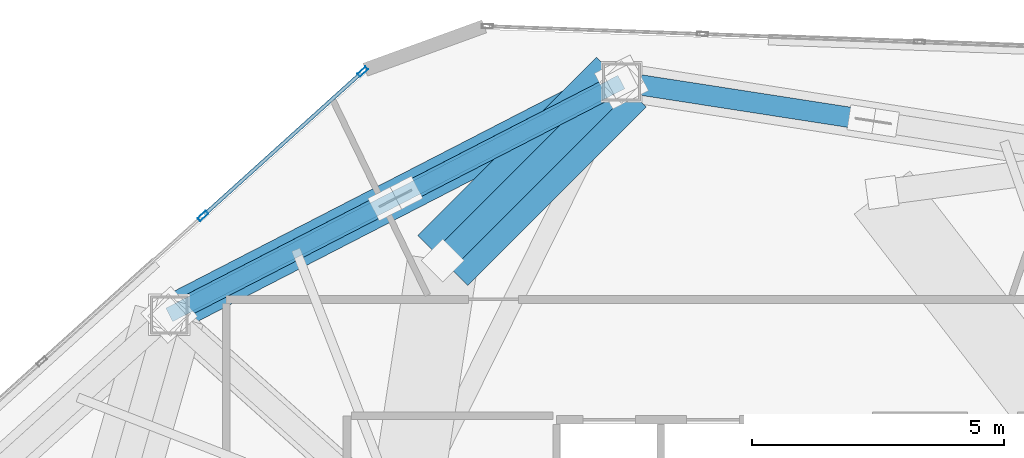
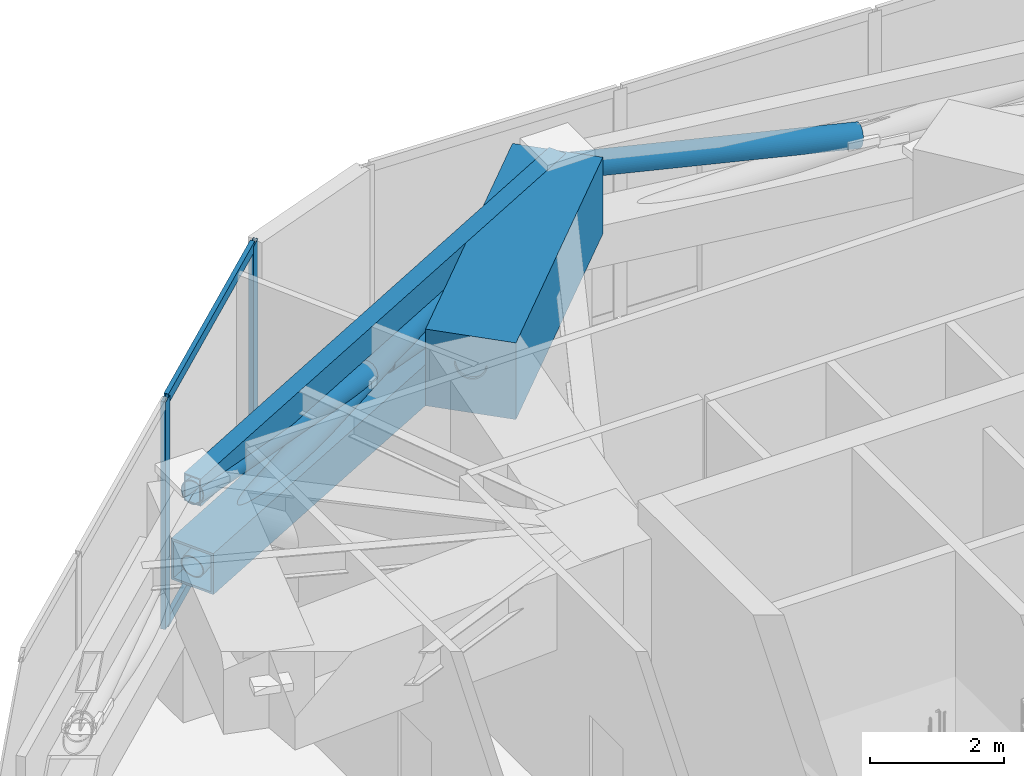
# One storey, part 16 of 25: 10 members, 2 beams, 1 element without a shape of its own.
"""IFC4 building model written with IfcOpenShell, lengths in metres."""

from ifc_helpers import new_model, si_unit, direction, frame, origin, origin_2d, place, context, subcontext, project, spatial, rectangle, hollow_rectangle, hollow_circle, extrude, source, transform, mapped, material, layer, layer_set, material_profile, profile_set, type_object, type_shapes, element, aggregate, save


model = new_model("IFC4")

# Units and contexts
model_context = context("Model", 3, precision=1e-05, world=origin(), true_north=direction((0.0, 1.0)))
body_context = subcontext(model_context, "Body", "Model", "MODEL_VIEW")
ifc_project = project(units=[si_unit("LENGTHUNIT", "METRE"), si_unit("AREAUNIT", "SQUARE_METRE"), si_unit("VOLUMEUNIT", "CUBIC_METRE"), si_unit("PLANEANGLEUNIT", "RADIAN"), si_unit("MASSUNIT", "GRAM", prefix="KILO")], contexts=[model_context])

# Site, building, storey
site_placement = place(None, origin())
site = spatial("IfcSite", under=ifc_project, at=site_placement, CompositionType="ELEMENT")
building_placement = place(site_placement, origin())
building = spatial("IfcBuilding", under=site, at=building_placement, Name="Talar Marvaseh", CompositionType="ELEMENT")
storey_placement = place(building_placement, frame((0.0, 0.0, 84.800048828125)))
storey = spatial("IfcBuildingStorey", under=building, at=storey_placement, Name="L21", CompositionType="ELEMENT", Elevation=84.800048828125)

# Beams
ifc_material_1 = material(Name="Concrete C70/85", Category="concrete")
ifc_material_profile_1 = material_profile(ifc_material_1, rectangle(XDim=1.39990234375, YDim=1.39990234375, at=origin_2d()), Name="RC1400x1400")
ifc_profile_set_1 = profile_set([ifc_material_profile_1], Name="Concrete C70/85")
beam_type_1 = type_object("IfcBeamType", Name="Setback Deep Concrete Transfer Girder RC1400x1400", PredefinedType="BEAM", material=ifc_profile_set_1)
beam_1_placement = place(storey_placement, frame((23.047119140625, 45.6669921875, 3.449951171875), z_axis=(-0.707325884338, -0.706887610123, 0.0), x_axis=(0.706887610123, -0.707325884338, 0.0)))
element("IfcBeam", 1, at=beam_1_placement, inside=storey, type_object=beam_type_1, Name="L21 Setback Cantilever Transfer Girder 11", PredefinedType="BEAM", context=body_context, shape_type="SweptSolid", body=[
    extrude(rectangle(XDim=1.39990234375, YDim=1.39990234375, at=origin_2d()), origin(), (0.0, 0.0, 1.0), 5.013427734375),
])
ifc_material_2 = material(Name="Steel S355", Category="steel")
ifc_material_profile_2 = material_profile(ifc_material_2, hollow_rectangle(XDim=0.300048828125, YDim=0.5, WallThickness=0.02001953125, at=origin_2d()), Name="RHS500x300x20")
ifc_profile_set_2 = profile_set([ifc_material_profile_2], Name="Steel S355")
beam_type_2 = type_object("IfcBeamType", Name="Zone 1 Perimeter Spandrel Beam RHS500x300x20", PredefinedType="SPANDREL", material=ifc_profile_set_2)
beam_2_placement = place(storey_placement, frame((14.069091796875, 41.04296875, 3.89990234375), z_axis=(0.889015710182, 0.457876694155, 0.0), x_axis=(-0.457876694155, 0.889015710182, 0.0)))
element("IfcBeam", 2, at=beam_2_placement, inside=storey, type_object=beam_type_2, Name="L21 Zone 1 Perimeter Spandrel Beam RHS500x300x20", PredefinedType="SPANDREL", context=body_context, shape_type="SweptSolid", body=[
    extrude(hollow_rectangle(XDim=0.300048828125, YDim=0.5, WallThickness=0.02001953125, at=origin_2d()), origin(), (0.0, 0.0, 1.0), 10.098876953125),
])

# Members
ifc_material_3 = material(Name="Steel S460", Category="steel")
ifc_material_profile_3 = material_profile(ifc_material_3, hollow_circle(Radius=0.25390625, WallThickness=0.02001953125, at=origin_2d()), Name="CHS508x20")
ifc_profile_set_3 = profile_set([ifc_material_profile_3], Name="Steel S460")
member_type_1 = type_object("IfcMemberType", Name="Crown Frame Diagonal Brace CHS508x20", PredefinedType="BRACE", material=ifc_profile_set_3)
shared_shape_1 = source(origin(), body_context, "Body", "SweptSolid", [
    extrude(hollow_circle(Radius=0.25390625, WallThickness=0.02001953125, at=origin_2d()), origin(), (0.0, 0.0, 1.0), 5.132568359375),
])
type_shapes(member_type_1, [shared_shape_1])
member_1_placement = place(storey_placement, frame((23.047119140625, 45.6669921875, 2.550048828125), z_axis=(-0.690895592168, -0.690467498514, 0.214284656986), x_axis=(0.706887610123, -0.707325884338, 0.0)))
element("IfcMember", 3, at=member_1_placement, inside=storey, type_object=member_type_1, Name="L21 Setback Transfer Raked Strut 11", PredefinedType="BRACE", context=body_context, shape_type="MappedRepresentation", body=[
    mapped(shared_shape_1, transform((0.0, 0.0, 0.0), x_axis=(1.0, 0.0, 0.0), y_axis=(0.0, 1.0, 0.0), z_axis=(0.0, 0.0, 1.0), scale=1.0)),
])
ifc_material_profile_4 = material_profile(ifc_material_3, hollow_rectangle(XDim=0.75, YDim=0.75, WallThickness=0.0400390625, at=origin_2d()), Name="BOX750x750x40")
ifc_profile_set_4 = profile_set([ifc_material_profile_4], Name="Steel S460")
member_type_2 = type_object("IfcMemberType", Name="Belt Truss Chord Member BOX750x750x40", PredefinedType="CHORD", material=ifc_profile_set_4)
shared_shape_2 = source(origin(), body_context, "Body", "SweptSolid", [
    extrude(hollow_rectangle(XDim=0.75, YDim=0.75, WallThickness=0.0400390625, at=origin_2d()), origin(), (0.0, 0.0, 1.0), 10.098876953125),
])
type_shapes(member_type_2, [shared_shape_2])
member_2_placement = place(storey_placement, frame((14.069091796875, 41.04296875, 2.5), z_axis=(0.889015710182, 0.457876694155, 0.0), x_axis=(-0.457876694155, 0.889015710182, 0.0)))
element("IfcMember", 4, at=member_2_placement, inside=storey, type_object=member_type_2, Name="L21 Belt Truss Bottom Chord 10", PredefinedType="CHORD", context=body_context, shape_type="MappedRepresentation", body=[
    mapped(shared_shape_2, transform((0.0, 0.0, 0.0), x_axis=(1.0, 0.0, 0.0), y_axis=(0.0, 1.0, 0.0), z_axis=(0.0, 0.0, 1.0), scale=1.0)),
])
ifc_material_profile_5 = material_profile(ifc_material_3, hollow_circle(Radius=0.203125, WallThickness=0.01611328125, at=origin_2d()), Name="CHS406x16")
ifc_profile_set_5 = profile_set([ifc_material_profile_5], Name="Steel S460")
member_type_3 = type_object("IfcMemberType", Name="Belt Truss Diagonal Brace CHS406x16", PredefinedType="BRACE", material=ifc_profile_set_5)
shared_shape_3 = source(origin(), body_context, "Body", "SweptSolid", [
    extrude(hollow_circle(Radius=0.203125, WallThickness=0.01611328125, at=origin_2d()), origin(), (0.0, 0.0, 1.0), 10.188720703125),
])
member_3_placement = place(storey_placement, frame((14.069091796875, 41.04296875, 2.5), z_axis=(0.881178933039, 0.453840457708, 0.132485949877), x_axis=(-0.457876694155, 0.889015710182, 0.0)))
element("IfcMember", 5, at=member_3_placement, inside=storey, type_object=member_type_3, Name="L21 Belt Truss Continuous Diagonal 10", PredefinedType="BRACE", context=body_context, shape_type="MappedRepresentation", body=[
    mapped(shared_shape_3, transform((0.0, 0.0, 0.0), x_axis=(1.0, 0.0, 0.0), y_axis=(0.0, 1.0, 0.0), z_axis=(0.0, 0.0, 1.0), scale=1.0)),
])
shared_shape_4 = source(origin(), body_context, "Body", "SweptSolid", [
    extrude(hollow_circle(Radius=0.203125, WallThickness=0.01611328125, at=origin_2d()), origin(), (0.0, 0.0, 1.0), 4.8544921875),
])
member_4_placement = place(storey_placement, frame((23.047119140625, 45.6669921875, 2.5), z_axis=(-0.881180214895, -0.453842261242, 0.132471245136), x_axis=(0.457877605818, -0.88901524064, 0.0)))
element("IfcMember", 6, at=member_4_placement, inside=storey, type_object=member_type_3, Name="L21 Belt Truss Split Diagonal Lower 10", PredefinedType="BRACE", context=body_context, shape_type="MappedRepresentation", body=[
    mapped(shared_shape_4, transform((0.0, 0.0, 0.0), x_axis=(1.0, 0.0, 0.0), y_axis=(0.0, 1.0, 0.0), z_axis=(0.0, 0.0, 1.0), scale=1.0)),
])
shared_shape_5 = source(origin(), body_context, "Body", "SweptSolid", [
    extrude(hollow_circle(Radius=0.203125, WallThickness=0.01611328125, at=origin_2d()), origin(), (0.0, 0.0, 1.0), 4.854248046875),
])
member_5_placement = place(storey_placement, frame((18.346435546875, 43.24609375, 3.206787109375), z_axis=(-0.881168972629, -0.453862374943, 0.13247711609), x_axis=(0.457898260852, -0.889004602186, 0.0)))
element("IfcMember", 7, at=member_5_placement, inside=storey, type_object=member_type_3, Name="L21 Belt Truss Split Diagonal Upper 10", PredefinedType="BRACE", context=body_context, shape_type="MappedRepresentation", body=[
    mapped(shared_shape_5, transform((0.0, 0.0, 0.0), x_axis=(1.0, 0.0, 0.0), y_axis=(0.0, 1.0, 0.0), z_axis=(0.0, 0.0, 1.0), scale=1.0)),
])
shared_shape_6 = source(origin(), body_context, "Body", "SweptSolid", [
    extrude(hollow_circle(Radius=0.203125, WallThickness=0.01611328125, at=origin_2d()), origin(), (0.0, 0.0, 1.0), 4.86376953125),
])
type_shapes(member_type_3, [shared_shape_3, shared_shape_4, shared_shape_5, shared_shape_6])
member_6_placement = place(storey_placement, frame((27.811279296875, 44.928955078125, 3.20654296875), z_axis=(-0.979530166065, 0.151743347956, 0.132267192148), x_axis=(-0.153088367208, -0.988212503374, 0.0)))
element("IfcMember", 8, at=member_6_placement, inside=storey, type_object=member_type_3, Name="L21 Belt Truss Split Diagonal Upper 11", PredefinedType="BRACE", context=body_context, shape_type="MappedRepresentation", body=[
    mapped(shared_shape_6, transform((0.0, 0.0, 0.0), x_axis=(1.0, 0.0, 0.0), y_axis=(0.0, 1.0, 0.0), z_axis=(0.0, 0.0, 1.0), scale=1.0)),
])

# Curtain wall, members
ifc_material_4 = material(Name="Architectural Aluminium", Category="aluminium")
ifc_layer = layer(ifc_material_4, 0.219970703125)
ifc_layer_set = layer_set([ifc_layer], Name="Architectural Aluminium")
curtain_wall_type = type_object("IfcCurtainWallType", Name="Unitised Low-E Museum Curtain Wall Z1", PredefinedType="NOTDEFINED", material=ifc_layer_set)
curtain_wall_placement = place(storey_placement, origin())
curtain_wall = element("IfcCurtainWall", 9, at=curtain_wall_placement, inside=storey, type_object=curtain_wall_type, Name="L21 Unitised Low-E Museum Curtain Wall Z1", PredefinedType="NOTDEFINED")
ifc_material_profile_6 = material_profile(ifc_material_4, hollow_rectangle(XDim=0.074951171875, YDim=0.179931640625, WallThickness=0.0048828125, at=origin_2d()), Name="RHS180x75x5")
ifc_profile_set_6 = profile_set([ifc_material_profile_6], Name="Architectural Aluminium")
member_type_4 = type_object("IfcMemberType", Name="Unitised Curtain Wall Transom RHS180x75x5", PredefinedType="USERDEFINED", material=ifc_profile_set_6)
shared_shape_7 = source(origin(), body_context, "Body", "SweptSolid", [
    extrude(hollow_rectangle(XDim=0.074951171875, YDim=0.179931640625, WallThickness=0.0048828125, at=origin_2d()), origin(), (0.0, 0.0, 1.0), 4.19189453125),
])
type_shapes(member_type_4, [shared_shape_7])
member_7_placement = place(storey_placement, frame((14.76953125, 43.036376953125, 0.037353515625), z_axis=(0.742320342468, 0.670045154566, 0.0), x_axis=(-0.670045154566, 0.742320342468, 0.0)))
member_7 = element("IfcMember", 10, at=member_7_placement, type_object=member_type_4, Name="CW-Z1 transom 4.1", ObjectType="TRANSOM", PredefinedType="USERDEFINED", context=body_context, shape_type="MappedRepresentation", body=[
    mapped(shared_shape_7, transform((0.0, 0.0, 0.0), x_axis=(1.0, 0.0, 0.0), y_axis=(0.0, 1.0, 0.0), z_axis=(0.0, 0.0, 1.0), scale=1.0)),
])
member_8_placement = place(storey_placement, frame((14.76953125, 43.036376953125, 4.112548828125), z_axis=(0.742320342468, 0.670045154566, 0.0), x_axis=(-0.670045154566, 0.742320342468, 0.0)))
member_8 = element("IfcMember", 11, at=member_8_placement, type_object=member_type_4, Name="CW-Z1 transom 4.2", ObjectType="TRANSOM", PredefinedType="USERDEFINED", context=body_context, shape_type="MappedRepresentation", body=[
    mapped(shared_shape_7, transform((0.0, 0.0, 0.0), x_axis=(1.0, 0.0, 0.0), y_axis=(0.0, 1.0, 0.0), z_axis=(0.0, 0.0, 1.0), scale=1.0)),
])
ifc_material_profile_7 = material_profile(ifc_material_4, hollow_rectangle(XDim=0.080078125, YDim=0.219970703125, WallThickness=0.0048828125, at=origin_2d()), Name="RHS220x80x5")
ifc_profile_set_7 = profile_set([ifc_material_profile_7], Name="Architectural Aluminium")
member_type_5 = type_object("IfcMemberType", Name="Unitised Curtain Wall Heavy Mullion RHS220x80x5", PredefinedType="MULLION", material=ifc_profile_set_7)
shared_shape_8 = source(origin(), body_context, "Body", "SweptSolid", [
    extrude(hollow_rectangle(XDim=0.080078125, YDim=0.219970703125, WallThickness=0.0048828125, at=origin_2d()), origin(), (0.0, 0.0, 1.0), 4.14990234375),
])
type_shapes(member_type_5, [shared_shape_8])
member_9_placement = place(storey_placement, frame((14.73974609375, 43.009765625, 0.0), z_axis=(0.0, 0.0, 1.0), x_axis=(-0.670010893092, 0.742351266678, 0.0)))
member_9 = element("IfcMember", 12, at=member_9_placement, type_object=member_type_5, Name="CW-Z1 mullion 4", PredefinedType="MULLION", context=body_context, shape_type="MappedRepresentation", body=[
    mapped(shared_shape_8, transform((0.0, 0.0, 0.0), x_axis=(1.0, 0.0, 0.0), y_axis=(0.0, 1.0, 0.0), z_axis=(0.0, 0.0, 1.0), scale=1.0)),
])
member_10_placement = place(storey_placement, frame((17.910888671875, 45.871826171875, 0.0), z_axis=(0.0, 0.0, 1.0), x_axis=(-0.670010893092, 0.742351266678, 0.0)))
member_10 = element("IfcMember", 13, at=member_10_placement, type_object=member_type_5, Name="CW-Z1 mullion 5", PredefinedType="MULLION", context=body_context, shape_type="MappedRepresentation", body=[
    mapped(shared_shape_8, transform((0.0, 0.0, 0.0), x_axis=(1.0, 0.0, 0.0), y_axis=(0.0, 1.0, 0.0), z_axis=(0.0, 0.0, 1.0), scale=1.0)),
])
aggregate(curtain_wall, [member_9, member_10, member_7, member_8])

save(model, "model.ifc")
